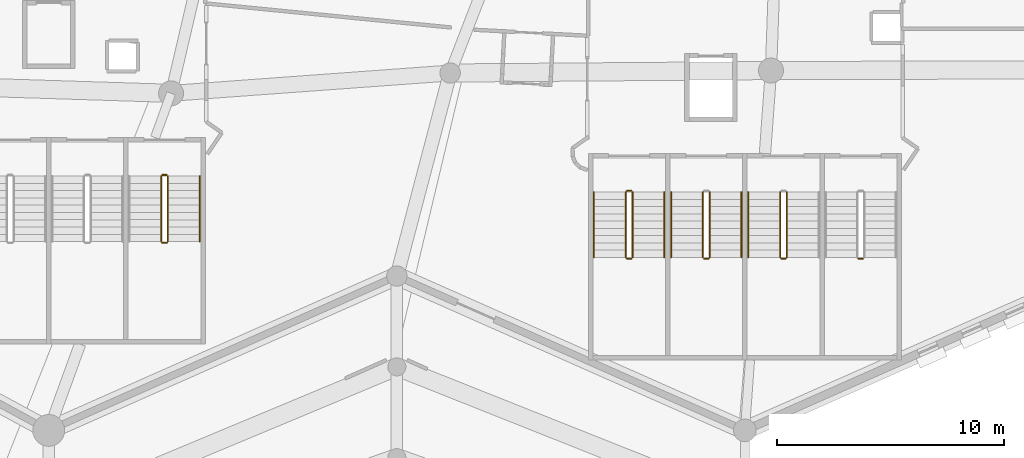
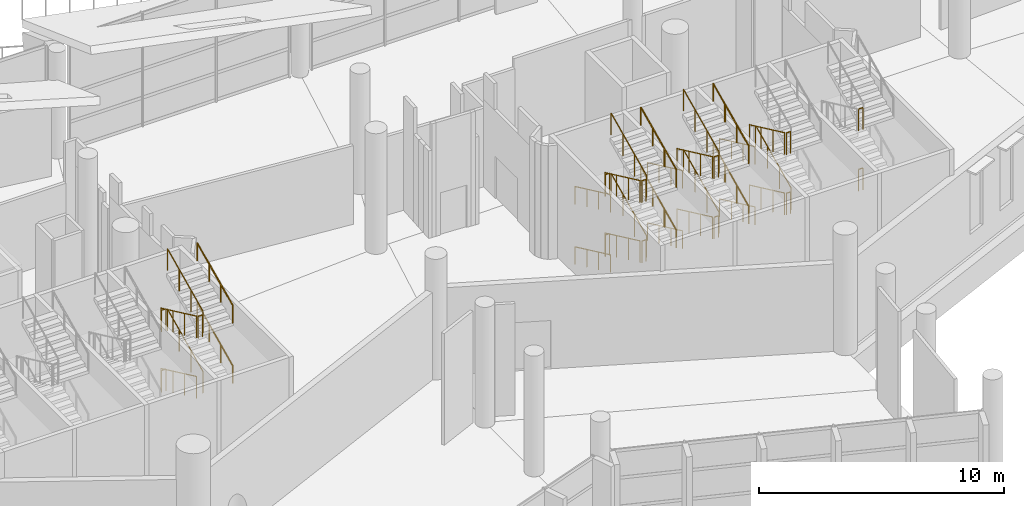
# One storey, part 206 of 249: 40 railings.
"""IFC4 building model written with IfcOpenShell, lengths in metres."""

import ifcopenshell
import ifcopenshell.guid

model = None  # the IFC model being written
_history = None  # IfcOwnerHistory: only IFC2X3 demands one
_inside = {}  # id of a spatial element -> (the spatial element, [elements in it])
_under = {}  # id of a project, library or spatial element -> (it, [spatial elements below it])
_declared = {}  # id of a project -> (the project, [libraries it declares])
_typed = {}  # id of a type object -> (the type object, [elements of that type])
_made_of = {}  # id of a material, layer set ... -> (it, [elements and type objects made of it])


def new_model(schema):
    """Start an empty IFC model of exactly this schema.

    Asked for "IFC4X3", IfcOpenShell would pick the latest addendum, in which some entities
    have other attributes; the version numbers below select the first issue.
    IFC2X3 requires an IfcOwnerHistory on every rooted entity: one is made here for all.
    """
    global model, _history
    if schema == "IFC4X3":
        model = ifcopenshell.file(schema_version=(4, 3, 0, 0))
    else:
        model = ifcopenshell.file(schema=schema)
    _inside.clear()
    _under.clear()
    _declared.clear()
    _typed.clear()
    _made_of.clear()
    _history = None
    if model.schema == "IFC2X3":
        org = make("IfcOrganization", Name="unknown")
        user = make(
            "IfcPersonAndOrganization",
            ThePerson=make("IfcPerson", FamilyName="unknown"),
            TheOrganization=org,
        )
        app = make(
            "IfcApplication",
            ApplicationDeveloper=org,
            Version="unknown",
            ApplicationFullName="unknown",
            ApplicationIdentifier="unknown",
        )
        _history = make(
            "IfcOwnerHistory",
            OwningUser=user,
            OwningApplication=app,
            ChangeAction="ADDED",
            CreationDate=0,
        )
    return model


def make(cls, **values):
    """One entity of the class cls with the attributes given. An attribute that is None is left unset."""
    return model.create_entity(
        cls, **{name: value for name, value in values.items() if value is not None}
    )


def rooted(cls, **values):
    """An entity with a GlobalId (a new one), such as an element, a storey or a relation."""
    return make(cls, GlobalId=ifcopenshell.guid.new(), OwnerHistory=_history, **values)


def si_unit(unit_type, name, prefix=None):
    """IfcSIUnit, for example si_unit("LENGTHUNIT", "METRE", prefix="MILLI")."""
    return make("IfcSIUnit", UnitType=unit_type, Prefix=prefix, Name=name)


def assignment(units):
    """IfcUnitAssignment: the units of a project."""
    return None if units is None else make("IfcUnitAssignment", Units=units)


def point(xyz):
    """IfcCartesianPoint."""
    return None if xyz is None else make("IfcCartesianPoint", Coordinates=xyz)


def direction(xyz):
    """IfcDirection."""
    return None if xyz is None else make("IfcDirection", DirectionRatios=xyz)


def frame(location, z_axis=None, x_axis=None):
    """IfcAxis2Placement3D, a coordinate frame: its origin and axes. An axis left out is left unset."""
    return make(
        "IfcAxis2Placement3D",
        Location=point(location),
        Axis=direction(z_axis),
        RefDirection=direction(x_axis),
    )


def frame_2d(location, x_axis=None):
    """IfcAxis2Placement2D, a coordinate frame in the plane: its origin and x axis."""
    return make(
        "IfcAxis2Placement2D", Location=point(location), RefDirection=direction(x_axis)
    )


def origin():
    """The frame at (0, 0, 0) with its axes left unset."""
    return frame((0.0, 0.0, 0.0))


def origin_2d():
    """The frame at (0, 0) in the plane with its x axis left unset."""
    return frame_2d((0.0, 0.0))


def place(relative_to, where):
    """IfcLocalPlacement: puts the frame where relative to a parent placement (None: the world)."""
    return make(
        "IfcLocalPlacement", PlacementRelTo=relative_to, RelativePlacement=where
    )


def context(
    kind, dimensions, precision=None, world=None, true_north=None, identifier=None
):
    """IfcGeometricRepresentationContext, for example the 3D "Model" context."""
    return make(
        "IfcGeometricRepresentationContext",
        ContextIdentifier=identifier,
        ContextType=kind,
        CoordinateSpaceDimension=dimensions,
        Precision=precision,
        WorldCoordinateSystem=world,
        TrueNorth=true_north,
    )


def subcontext(parent, identifier, kind, view, scale=None):
    """IfcGeometricRepresentationSubContext, for example "Body" below "Model"."""
    return make(
        "IfcGeometricRepresentationSubContext",
        ContextIdentifier=identifier,
        ContextType=kind,
        ParentContext=parent,
        TargetScale=scale,
        TargetView=view,
    )


def project(units=None, contexts=None):
    """IfcProject with its units and contexts."""
    return rooted(
        "IfcProject",
        Name="project",
        RepresentationContexts=contexts,
        UnitsInContext=assignment(units),
    )


def spatial(cls, under=None, at=None, **own):
    """A site, building, storey or space (cls), placed at a placement, below another one or the project."""
    s = rooted(cls, ObjectPlacement=at, **own)
    if under is not None:
        _under.setdefault(under.id(), (under, []))[1].append(s)
    return s


def profile(cls, at=None, kind="AREA", **sizes):
    """A parametric profile (cls). Its sizes go by their IFC names, for example OverallWidth=200.0."""
    return make(cls, ProfileType=kind, Position=at, **sizes)


def circle(**sizes):
    """IfcCircleProfileDef."""
    return profile("IfcCircleProfileDef", **sizes)


def extrude(swept, where, along, depth):
    """IfcExtrudedAreaSolid: the profile swept, set in the frame where, extruded along a direction by depth."""
    return make(
        "IfcExtrudedAreaSolid",
        SweptArea=swept,
        Position=where,
        ExtrudedDirection=direction(along),
        Depth=depth,
    )


def shape(context_of_items, identifier, shape_type, items):
    """IfcShapeRepresentation: the items that make up one representation, for example the "Body"."""
    return make(
        "IfcShapeRepresentation",
        ContextOfItems=context_of_items,
        RepresentationIdentifier=identifier,
        RepresentationType=shape_type,
        Items=items,
    )


def material(Name=None, Category=None):
    """IfcMaterial."""
    return make("IfcMaterial", Name=Name, Category=Category)


def made_of(thing, what):
    """Note that an element or type object is made of a material, layer set ...; save() writes the relation."""
    if what is not None:
        _made_of.setdefault(what.id(), (what, []))[1].append(thing)
    return thing


def type_object(cls, material=None, **own):
    """A type object (cls), such as IfcWallType, which elements share."""
    return made_of(rooted(cls, **own), material)


def element(
    cls,
    number,
    at=None,
    inside=None,
    cuts=None,
    type_object=None,
    material=None,
    context=None,
    identifier="Body",
    shape_type=None,
    held_by="IfcProductDefinitionShape",
    body=None,
    shapes=None,
    **own,
):
    """One element of the class cls, such as IfcWall. Its Tag is "e" and its number.

    at: its placement. inside: the storey or other place that contains it. cuts: it is an
    opening in that element (IfcRelVoidsElement). A single representation is given by context,
    identifier, shape_type and body (its items); several are given by shapes. held_by: the class
    of the entity that holds the representations. save() writes the other relations.
    """
    e = rooted(cls, Tag="e%d" % number, ObjectPlacement=at, **own)
    if body is not None:
        shapes = [shape(context, identifier, shape_type, body)]
    if shapes is not None:
        e.Representation = make(held_by, Representations=shapes)
    if inside is not None:
        _inside.setdefault(inside.id(), (inside, []))[1].append(e)
    if cuts is not None:
        rooted(
            "IfcRelVoidsElement", RelatingBuildingElement=cuts, RelatedOpeningElement=e
        )
    if type_object is not None:
        _typed.setdefault(type_object.id(), (type_object, []))[1].append(e)
    return made_of(e, material)


def aggregate(whole, parts):
    """IfcRelAggregates: a whole, such as a stair, and the parts it consists of."""
    return rooted("IfcRelAggregates", RelatingObject=whole, RelatedObjects=parts)


def save(model, path):
    """Write the relations noted so far, then the file.

    IfcRelAggregates (storeys below a building ...), IfcRelContainedInSpatialStructure (elements
    in a storey), IfcRelDefinesByType, IfcRelAssociatesMaterial and IfcRelDeclares: one each for
    every whole, place, type object, material and project.
    """
    for whole, parts in _under.values():
        aggregate(whole, parts)
    for where, things in _inside.values():
        rooted(
            "IfcRelContainedInSpatialStructure",
            RelatedElements=things,
            RelatingStructure=where,
        )
    for kind, things in _typed.values():
        rooted("IfcRelDefinesByType", RelatedObjects=things, RelatingType=kind)
    for what, things in _made_of.values():
        rooted("IfcRelAssociatesMaterial", RelatedObjects=things, RelatingMaterial=what)
    for by, libraries in _declared.values():
        rooted("IfcRelDeclares", RelatingContext=by, RelatedDefinitions=libraries)
    model.write(path)


model = new_model("IFC4")

# Units and contexts
model_context = context("Model", 3, precision=1e-05, world=origin(), true_north=direction((0.0, 1.0)))
body_context = subcontext(model_context, "Body", "Model", "MODEL_VIEW")
ifc_project = project(units=[si_unit("LENGTHUNIT", "METRE"), si_unit("AREAUNIT", "SQUARE_METRE"), si_unit("VOLUMEUNIT", "CUBIC_METRE"), si_unit("PLANEANGLEUNIT", "RADIAN"), si_unit("MASSUNIT", "GRAM", prefix="KILO")], contexts=[model_context])

# Site, building, storey
site_placement = place(None, origin())
site = spatial("IfcSite", under=ifc_project, at=site_placement, CompositionType="ELEMENT")
building_placement = place(site_placement, origin())
building = spatial("IfcBuilding", under=site, at=building_placement, Name="Meseta Stadium", CompositionType="ELEMENT")
storey_placement = place(building_placement, frame((0.0, 0.0, 12.0)))
storey = spatial("IfcBuildingStorey", under=building, at=storey_placement, Name="L02", CompositionType="ELEMENT", Elevation=12.0)

# Railings
ifc_material_1 = material(Name="Steel S355", Category="steel")
railing_type_1 = type_object("IfcRailingType", Name="Stair guard 1100", PredefinedType="GUARDRAIL", material=ifc_material_1)
railing_1_placement = place(storey_placement, frame((-33.38330078125, -94.199951171875, 0.14990234375)))
element("IfcRailing", 1, at=railing_1_placement, inside=storey, type_object=railing_type_1, Name="ST92 L02 guard 1", PredefinedType="GUARDRAIL", context=body_context, shape_type="SweptSolid", body=[
    extrude(circle(Radius=0.02392578125, at=origin_2d()), frame((0.0, 0.0, 1.076171875), z_axis=(0.0, -0.905454327043, 0.424443708447), x_axis=(1.0, 0.0, 0.0)), (0.0, 0.0, 1.0), 3.180908203125),
    extrude(circle(Radius=0.02099609375, at=origin_2d()), origin(), (0.0, 0.0, 1.0), 1.052001953125),
    extrude(circle(Radius=0.02099609375, at=origin_2d()), frame((0.0, -0.9599609375, 0.449951171875)), (0.0, 0.0, 1.0), 1.052001953125),
    extrude(circle(Radius=0.02099609375, at=origin_2d()), frame((0.0, -1.920166015625, 0.900146484375)), (0.0, 0.0, 1.0), 1.052001953125),
    extrude(circle(Radius=0.02099609375, at=origin_2d()), frame((0.0, -2.880126953125, 1.35009765625)), (0.0, 0.0, 1.0), 1.052001953125),
])
railing_2_placement = place(storey_placement, frame((-33.083251953125, -97.080078125, 1.64990234375)))
element("IfcRailing", 2, at=railing_2_placement, inside=storey, type_object=railing_type_1, Name="ST92 L02 guard 3", PredefinedType="GUARDRAIL", context=body_context, shape_type="SweptSolid", body=[
    extrude(circle(Radius=0.02392578125, at=origin_2d()), frame((0.0, 0.0, 1.076171875), z_axis=(0.0, 0.905454327043, 0.424443708447), x_axis=(-1.0, 0.0, 0.0)), (0.0, 0.0, 1.0), 3.180908203125),
    extrude(circle(Radius=0.02099609375, at=origin_2d()), origin(), (0.0, 0.0, 1.0), 1.052001953125),
    extrude(circle(Radius=0.02099609375, at=origin_2d()), frame((0.0, 0.9599609375, 0.449951171875)), (0.0, 0.0, 1.0), 1.052001953125),
    extrude(circle(Radius=0.02099609375, at=origin_2d()), frame((0.0, 1.920166015625, 0.900146484375)), (0.0, 0.0, 1.0), 1.052001953125),
    extrude(circle(Radius=0.02099609375, at=origin_2d()), frame((0.0, 2.880126953125, 1.35009765625)), (0.0, 0.0, 1.0), 1.052001953125),
])
railing_3_placement = place(storey_placement, frame((-33.333251953125, -94.14990234375, 3.0)))
element("IfcRailing", 3, at=railing_3_placement, inside=storey, type_object=railing_type_1, Name="ST92 L02 guard 4", PredefinedType="GUARDRAIL", context=body_context, shape_type="SweptSolid", body=[
    extrude(circle(Radius=0.02392578125, at=origin_2d()), frame((0.0, 0.0, 1.076171875), z_axis=(1.0, 0.0, 0.0), x_axis=(0.0, 1.0, 0.0)), (0.0, 0.0, 1.0), 0.199951171875),
    extrude(circle(Radius=0.02099609375, at=origin_2d()), origin(), (0.0, 0.0, 1.0), 1.052001953125),
    extrude(circle(Radius=0.02099609375, at=origin_2d()), frame((0.199951171875, 0.0, 0.0)), (0.0, 0.0, 1.0), 1.052001953125),
])
railing_4_placement = place(storey_placement, frame((-33.38330078125, -94.199951171875, 3.14990234375)))
element("IfcRailing", 4, at=railing_4_placement, inside=storey, type_object=railing_type_1, Name="ST92 L02 guard 5", PredefinedType="GUARDRAIL", context=body_context, shape_type="SweptSolid", body=[
    extrude(circle(Radius=0.02392578125, at=origin_2d()), frame((0.0, 0.0, 1.076171875), z_axis=(0.0, -0.905454327043, 0.424443708447), x_axis=(1.0, 0.0, 0.0)), (0.0, 0.0, 1.0), 3.180908203125),
    extrude(circle(Radius=0.02099609375, at=origin_2d()), origin(), (0.0, 0.0, 1.0), 1.052001953125),
    extrude(circle(Radius=0.02099609375, at=origin_2d()), frame((0.0, -0.9599609375, 0.449951171875)), (0.0, 0.0, 1.0), 1.052001953125),
    extrude(circle(Radius=0.02099609375, at=origin_2d()), frame((0.0, -1.920166015625, 0.900146484375)), (0.0, 0.0, 1.0), 1.052001953125),
    extrude(circle(Radius=0.02099609375, at=origin_2d()), frame((0.0, -2.880126953125, 1.35009765625)), (0.0, 0.0, 1.0), 1.052001953125),
])
railing_5_placement = place(storey_placement, frame((-33.333251953125, -97.1298828125, 4.5)))
element("IfcRailing", 5, at=railing_5_placement, inside=storey, type_object=railing_type_1, Name="ST92 L02 guard 6", PredefinedType="GUARDRAIL", context=body_context, shape_type="SweptSolid", body=[
    extrude(circle(Radius=0.02392578125, at=origin_2d()), frame((0.0, 0.0, 1.076171875), z_axis=(1.0, 0.0, 0.0), x_axis=(0.0, 1.0, 0.0)), (0.0, 0.0, 1.0), 0.199951171875),
    extrude(circle(Radius=0.02099609375, at=origin_2d()), origin(), (0.0, 0.0, 1.0), 1.052001953125),
    extrude(circle(Radius=0.02099609375, at=origin_2d()), frame((0.199951171875, 0.0, 0.0)), (0.0, 0.0, 1.0), 1.052001953125),
])
railing_6_placement = place(storey_placement, frame((-33.083251953125, -97.080078125, 4.64990234375)))
element("IfcRailing", 6, at=railing_6_placement, inside=storey, type_object=railing_type_1, Name="ST92 L02 guard 7", PredefinedType="GUARDRAIL", context=body_context, shape_type="SweptSolid", body=[
    extrude(circle(Radius=0.02392578125, at=origin_2d()), frame((0.0, 0.0, 1.076171875), z_axis=(0.0, 0.905454327043, 0.424443708447), x_axis=(-1.0, 0.0, 0.0)), (0.0, 0.0, 1.0), 3.180908203125),
    extrude(circle(Radius=0.02099609375, at=origin_2d()), origin(), (0.0, 0.0, 1.0), 1.052001953125),
    extrude(circle(Radius=0.02099609375, at=origin_2d()), frame((0.0, 0.9599609375, 0.449951171875)), (0.0, 0.0, 1.0), 1.052001953125),
    extrude(circle(Radius=0.02099609375, at=origin_2d()), frame((0.0, 1.920166015625, 0.900146484375)), (0.0, 0.0, 1.0), 1.052001953125),
    extrude(circle(Radius=0.02099609375, at=origin_2d()), frame((0.0, 2.880126953125, 1.35009765625)), (0.0, 0.0, 1.0), 1.052001953125),
])
railing_7_placement = place(storey_placement, frame((-33.333251953125, -94.14990234375, 0.0)))
element("IfcRailing", 7, at=railing_7_placement, inside=storey, type_object=railing_type_1, Name="ST92 L02 guard 8", PredefinedType="GUARDRAIL", context=body_context, shape_type="SweptSolid", body=[
    extrude(circle(Radius=0.02392578125, at=origin_2d()), frame((0.0, 0.0, 1.076171875), z_axis=(1.0, 0.0, 0.0), x_axis=(0.0, 1.0, 0.0)), (0.0, 0.0, 1.0), 0.199951171875),
    extrude(circle(Radius=0.02099609375, at=origin_2d()), origin(), (0.0, 0.0, 1.0), 1.052001953125),
    extrude(circle(Radius=0.02099609375, at=origin_2d()), frame((0.199951171875, 0.0, 0.0)), (0.0, 0.0, 1.0), 1.052001953125),
])
railing_8_placement = place(storey_placement, frame((-12.916748046875, -94.89990234375, 0.14990234375)))
element("IfcRailing", 8, at=railing_8_placement, inside=storey, type_object=railing_type_1, Name="ST93 L02 guard 1", PredefinedType="GUARDRAIL", context=body_context, shape_type="SweptSolid", body=[
    extrude(circle(Radius=0.02392578125, at=origin_2d()), frame((0.0, 0.0, 1.076171875), z_axis=(0.0, -0.905454327043, 0.424443708447), x_axis=(1.0, 0.0, 0.0)), (0.0, 0.0, 1.0), 3.180908203125),
    extrude(circle(Radius=0.02099609375, at=origin_2d()), origin(), (0.0, 0.0, 1.0), 1.052001953125),
    extrude(circle(Radius=0.02099609375, at=origin_2d()), frame((0.0, -0.9599609375, 0.449951171875)), (0.0, 0.0, 1.0), 1.052001953125),
    extrude(circle(Radius=0.02099609375, at=origin_2d()), frame((0.0, -1.920166015625, 0.900146484375)), (0.0, 0.0, 1.0), 1.052001953125),
    extrude(circle(Radius=0.02099609375, at=origin_2d()), frame((0.0, -2.880126953125, 1.35009765625)), (0.0, 0.0, 1.0), 1.052001953125),
])
railing_9_placement = place(storey_placement, frame((-12.86669921875, -97.830078125, 1.5)))
element("IfcRailing", 9, at=railing_9_placement, inside=storey, type_object=railing_type_1, Name="ST93 L02 guard 2", PredefinedType="GUARDRAIL", context=body_context, shape_type="SweptSolid", body=[
    extrude(circle(Radius=0.02392578125, at=origin_2d()), frame((0.0, 0.0, 1.076171875), z_axis=(1.0, 0.0, 0.0), x_axis=(0.0, 1.0, 0.0)), (0.0, 0.0, 1.0), 0.199951171875),
    extrude(circle(Radius=0.02099609375, at=origin_2d()), origin(), (0.0, 0.0, 1.0), 1.052001953125),
    extrude(circle(Radius=0.02099609375, at=origin_2d()), frame((0.199951171875, 0.0, 0.0)), (0.0, 0.0, 1.0), 1.052001953125),
])
railing_10_placement = place(storey_placement, frame((-12.61669921875, -97.780029296875, 1.64990234375)))
element("IfcRailing", 10, at=railing_10_placement, inside=storey, type_object=railing_type_1, Name="ST93 L02 guard 3", PredefinedType="GUARDRAIL", context=body_context, shape_type="SweptSolid", body=[
    extrude(circle(Radius=0.02392578125, at=origin_2d()), frame((0.0, 0.0, 1.076171875), z_axis=(0.0, 0.905454327043, 0.424443708447), x_axis=(-1.0, 0.0, 0.0)), (0.0, 0.0, 1.0), 3.180908203125),
    extrude(circle(Radius=0.02099609375, at=origin_2d()), origin(), (0.0, 0.0, 1.0), 1.052001953125),
    extrude(circle(Radius=0.02099609375, at=origin_2d()), frame((0.0, 0.9599609375, 0.449951171875)), (0.0, 0.0, 1.0), 1.052001953125),
    extrude(circle(Radius=0.02099609375, at=origin_2d()), frame((0.0, 1.920166015625, 0.900146484375)), (0.0, 0.0, 1.0), 1.052001953125),
    extrude(circle(Radius=0.02099609375, at=origin_2d()), frame((0.0, 2.880126953125, 1.35009765625)), (0.0, 0.0, 1.0), 1.052001953125),
])
railing_11_placement = place(storey_placement, frame((-12.86669921875, -94.85009765625, 3.0)))
element("IfcRailing", 11, at=railing_11_placement, inside=storey, type_object=railing_type_1, Name="ST93 L02 guard 4", PredefinedType="GUARDRAIL", context=body_context, shape_type="SweptSolid", body=[
    extrude(circle(Radius=0.02392578125, at=origin_2d()), frame((0.0, 0.0, 1.076171875), z_axis=(1.0, 0.0, 0.0), x_axis=(0.0, 1.0, 0.0)), (0.0, 0.0, 1.0), 0.199951171875),
    extrude(circle(Radius=0.02099609375, at=origin_2d()), origin(), (0.0, 0.0, 1.0), 1.052001953125),
    extrude(circle(Radius=0.02099609375, at=origin_2d()), frame((0.199951171875, 0.0, 0.0)), (0.0, 0.0, 1.0), 1.052001953125),
])
railing_12_placement = place(storey_placement, frame((-12.916748046875, -94.89990234375, 3.14990234375)))
element("IfcRailing", 12, at=railing_12_placement, inside=storey, type_object=railing_type_1, Name="ST93 L02 guard 5", PredefinedType="GUARDRAIL", context=body_context, shape_type="SweptSolid", body=[
    extrude(circle(Radius=0.02392578125, at=origin_2d()), frame((0.0, 0.0, 1.076171875), z_axis=(0.0, -0.905454327043, 0.424443708447), x_axis=(1.0, 0.0, 0.0)), (0.0, 0.0, 1.0), 3.180908203125),
    extrude(circle(Radius=0.02099609375, at=origin_2d()), origin(), (0.0, 0.0, 1.0), 1.052001953125),
    extrude(circle(Radius=0.02099609375, at=origin_2d()), frame((0.0, -0.9599609375, 0.449951171875)), (0.0, 0.0, 1.0), 1.052001953125),
    extrude(circle(Radius=0.02099609375, at=origin_2d()), frame((0.0, -1.920166015625, 0.900146484375)), (0.0, 0.0, 1.0), 1.052001953125),
    extrude(circle(Radius=0.02099609375, at=origin_2d()), frame((0.0, -2.880126953125, 1.35009765625)), (0.0, 0.0, 1.0), 1.052001953125),
])
railing_13_placement = place(storey_placement, frame((-12.86669921875, -97.830078125, 4.5)))
element("IfcRailing", 13, at=railing_13_placement, inside=storey, type_object=railing_type_1, Name="ST93 L02 guard 6", PredefinedType="GUARDRAIL", context=body_context, shape_type="SweptSolid", body=[
    extrude(circle(Radius=0.02392578125, at=origin_2d()), frame((0.0, 0.0, 1.076171875), z_axis=(1.0, 0.0, 0.0), x_axis=(0.0, 1.0, 0.0)), (0.0, 0.0, 1.0), 0.199951171875),
    extrude(circle(Radius=0.02099609375, at=origin_2d()), origin(), (0.0, 0.0, 1.0), 1.052001953125),
    extrude(circle(Radius=0.02099609375, at=origin_2d()), frame((0.199951171875, 0.0, 0.0)), (0.0, 0.0, 1.0), 1.052001953125),
])
railing_14_placement = place(storey_placement, frame((-12.61669921875, -97.780029296875, 4.64990234375)))
element("IfcRailing", 14, at=railing_14_placement, inside=storey, type_object=railing_type_1, Name="ST93 L02 guard 7", PredefinedType="GUARDRAIL", context=body_context, shape_type="SweptSolid", body=[
    extrude(circle(Radius=0.02392578125, at=origin_2d()), frame((0.0, 0.0, 1.076171875), z_axis=(0.0, 0.905454327043, 0.424443708447), x_axis=(-1.0, 0.0, 0.0)), (0.0, 0.0, 1.0), 3.180908203125),
    extrude(circle(Radius=0.02099609375, at=origin_2d()), origin(), (0.0, 0.0, 1.0), 1.052001953125),
    extrude(circle(Radius=0.02099609375, at=origin_2d()), frame((0.0, 0.9599609375, 0.449951171875)), (0.0, 0.0, 1.0), 1.052001953125),
    extrude(circle(Radius=0.02099609375, at=origin_2d()), frame((0.0, 1.920166015625, 0.900146484375)), (0.0, 0.0, 1.0), 1.052001953125),
    extrude(circle(Radius=0.02099609375, at=origin_2d()), frame((0.0, 2.880126953125, 1.35009765625)), (0.0, 0.0, 1.0), 1.052001953125),
])
railing_15_placement = place(storey_placement, frame((-12.86669921875, -94.85009765625, 0.0)))
element("IfcRailing", 15, at=railing_15_placement, inside=storey, type_object=railing_type_1, Name="ST93 L02 guard 8", PredefinedType="GUARDRAIL", context=body_context, shape_type="SweptSolid", body=[
    extrude(circle(Radius=0.02392578125, at=origin_2d()), frame((0.0, 0.0, 1.076171875), z_axis=(1.0, 0.0, 0.0), x_axis=(0.0, 1.0, 0.0)), (0.0, 0.0, 1.0), 0.199951171875),
    extrude(circle(Radius=0.02099609375, at=origin_2d()), origin(), (0.0, 0.0, 1.0), 1.052001953125),
    extrude(circle(Radius=0.02099609375, at=origin_2d()), frame((0.199951171875, 0.0, 0.0)), (0.0, 0.0, 1.0), 1.052001953125),
])
railing_16_placement = place(storey_placement, frame((-9.5166015625, -94.89990234375, 0.14990234375)))
element("IfcRailing", 16, at=railing_16_placement, inside=storey, type_object=railing_type_1, Name="ST94 L02 guard 1", PredefinedType="GUARDRAIL", context=body_context, shape_type="SweptSolid", body=[
    extrude(circle(Radius=0.02392578125, at=origin_2d()), frame((0.0, 0.0, 1.076171875), z_axis=(0.0, -0.905454327043, 0.424443708447), x_axis=(1.0, 0.0, 0.0)), (0.0, 0.0, 1.0), 3.180908203125),
    extrude(circle(Radius=0.02099609375, at=origin_2d()), origin(), (0.0, 0.0, 1.0), 1.052001953125),
    extrude(circle(Radius=0.02099609375, at=origin_2d()), frame((0.0, -0.9599609375, 0.449951171875)), (0.0, 0.0, 1.0), 1.052001953125),
    extrude(circle(Radius=0.02099609375, at=origin_2d()), frame((0.0, -1.920166015625, 0.900146484375)), (0.0, 0.0, 1.0), 1.052001953125),
    extrude(circle(Radius=0.02099609375, at=origin_2d()), frame((0.0, -2.880126953125, 1.35009765625)), (0.0, 0.0, 1.0), 1.052001953125),
])
railing_17_placement = place(storey_placement, frame((-9.466552734375, -97.830078125, 1.5)))
element("IfcRailing", 17, at=railing_17_placement, inside=storey, type_object=railing_type_1, Name="ST94 L02 guard 2", PredefinedType="GUARDRAIL", context=body_context, shape_type="SweptSolid", body=[
    extrude(circle(Radius=0.02392578125, at=origin_2d()), frame((0.0, 0.0, 1.076171875), z_axis=(1.0, 0.0, 0.0), x_axis=(0.0, 1.0, 0.0)), (0.0, 0.0, 1.0), 0.199951171875),
    extrude(circle(Radius=0.02099609375, at=origin_2d()), origin(), (0.0, 0.0, 1.0), 1.052001953125),
    extrude(circle(Radius=0.02099609375, at=origin_2d()), frame((0.199951171875, 0.0, 0.0)), (0.0, 0.0, 1.0), 1.052001953125),
])
railing_18_placement = place(storey_placement, frame((-9.216552734375, -97.780029296875, 1.64990234375)))
element("IfcRailing", 18, at=railing_18_placement, inside=storey, type_object=railing_type_1, Name="ST94 L02 guard 3", PredefinedType="GUARDRAIL", context=body_context, shape_type="SweptSolid", body=[
    extrude(circle(Radius=0.02392578125, at=origin_2d()), frame((0.0, 0.0, 1.076171875), z_axis=(0.0, 0.905454327043, 0.424443708447), x_axis=(-1.0, 0.0, 0.0)), (0.0, 0.0, 1.0), 3.180908203125),
    extrude(circle(Radius=0.02099609375, at=origin_2d()), origin(), (0.0, 0.0, 1.0), 1.052001953125),
    extrude(circle(Radius=0.02099609375, at=origin_2d()), frame((0.0, 0.9599609375, 0.449951171875)), (0.0, 0.0, 1.0), 1.052001953125),
    extrude(circle(Radius=0.02099609375, at=origin_2d()), frame((0.0, 1.920166015625, 0.900146484375)), (0.0, 0.0, 1.0), 1.052001953125),
    extrude(circle(Radius=0.02099609375, at=origin_2d()), frame((0.0, 2.880126953125, 1.35009765625)), (0.0, 0.0, 1.0), 1.052001953125),
])
railing_19_placement = place(storey_placement, frame((-9.5166015625, -94.89990234375, 3.14990234375)))
element("IfcRailing", 19, at=railing_19_placement, inside=storey, type_object=railing_type_1, Name="ST94 L02 guard 5", PredefinedType="GUARDRAIL", context=body_context, shape_type="SweptSolid", body=[
    extrude(circle(Radius=0.02392578125, at=origin_2d()), frame((0.0, 0.0, 1.076171875), z_axis=(0.0, -0.905454327043, 0.424443708447), x_axis=(1.0, 0.0, 0.0)), (0.0, 0.0, 1.0), 3.180908203125),
    extrude(circle(Radius=0.02099609375, at=origin_2d()), origin(), (0.0, 0.0, 1.0), 1.052001953125),
    extrude(circle(Radius=0.02099609375, at=origin_2d()), frame((0.0, -0.9599609375, 0.449951171875)), (0.0, 0.0, 1.0), 1.052001953125),
    extrude(circle(Radius=0.02099609375, at=origin_2d()), frame((0.0, -1.920166015625, 0.900146484375)), (0.0, 0.0, 1.0), 1.052001953125),
    extrude(circle(Radius=0.02099609375, at=origin_2d()), frame((0.0, -2.880126953125, 1.35009765625)), (0.0, 0.0, 1.0), 1.052001953125),
])
railing_20_placement = place(storey_placement, frame((-9.466552734375, -97.830078125, 4.5)))
element("IfcRailing", 20, at=railing_20_placement, inside=storey, type_object=railing_type_1, Name="ST94 L02 guard 6", PredefinedType="GUARDRAIL", context=body_context, shape_type="SweptSolid", body=[
    extrude(circle(Radius=0.02392578125, at=origin_2d()), frame((0.0, 0.0, 1.076171875), z_axis=(1.0, 0.0, 0.0), x_axis=(0.0, 1.0, 0.0)), (0.0, 0.0, 1.0), 0.199951171875),
    extrude(circle(Radius=0.02099609375, at=origin_2d()), origin(), (0.0, 0.0, 1.0), 1.052001953125),
    extrude(circle(Radius=0.02099609375, at=origin_2d()), frame((0.199951171875, 0.0, 0.0)), (0.0, 0.0, 1.0), 1.052001953125),
])
railing_21_placement = place(storey_placement, frame((-9.216552734375, -97.780029296875, 4.64990234375)))
element("IfcRailing", 21, at=railing_21_placement, inside=storey, type_object=railing_type_1, Name="ST94 L02 guard 7", PredefinedType="GUARDRAIL", context=body_context, shape_type="SweptSolid", body=[
    extrude(circle(Radius=0.02392578125, at=origin_2d()), frame((0.0, 0.0, 1.076171875), z_axis=(0.0, 0.905454327043, 0.424443708447), x_axis=(-1.0, 0.0, 0.0)), (0.0, 0.0, 1.0), 3.180908203125),
    extrude(circle(Radius=0.02099609375, at=origin_2d()), origin(), (0.0, 0.0, 1.0), 1.052001953125),
    extrude(circle(Radius=0.02099609375, at=origin_2d()), frame((0.0, 0.9599609375, 0.449951171875)), (0.0, 0.0, 1.0), 1.052001953125),
    extrude(circle(Radius=0.02099609375, at=origin_2d()), frame((0.0, 1.920166015625, 0.900146484375)), (0.0, 0.0, 1.0), 1.052001953125),
    extrude(circle(Radius=0.02099609375, at=origin_2d()), frame((0.0, 2.880126953125, 1.35009765625)), (0.0, 0.0, 1.0), 1.052001953125),
])
railing_22_placement = place(storey_placement, frame((-6.11669921875, -94.89990234375, 0.14990234375)))
element("IfcRailing", 22, at=railing_22_placement, inside=storey, type_object=railing_type_1, Name="ST95 L02 guard 1", PredefinedType="GUARDRAIL", context=body_context, shape_type="SweptSolid", body=[
    extrude(circle(Radius=0.02392578125, at=origin_2d()), frame((0.0, 0.0, 1.076171875), z_axis=(0.0, -0.905454327043, 0.424443708447), x_axis=(1.0, 0.0, 0.0)), (0.0, 0.0, 1.0), 3.180908203125),
    extrude(circle(Radius=0.02099609375, at=origin_2d()), origin(), (0.0, 0.0, 1.0), 1.052001953125),
    extrude(circle(Radius=0.02099609375, at=origin_2d()), frame((0.0, -0.9599609375, 0.449951171875)), (0.0, 0.0, 1.0), 1.052001953125),
    extrude(circle(Radius=0.02099609375, at=origin_2d()), frame((0.0, -1.920166015625, 0.900146484375)), (0.0, 0.0, 1.0), 1.052001953125),
    extrude(circle(Radius=0.02099609375, at=origin_2d()), frame((0.0, -2.880126953125, 1.35009765625)), (0.0, 0.0, 1.0), 1.052001953125),
])
railing_23_placement = place(storey_placement, frame((-6.066650390625, -97.830078125, 1.5)))
element("IfcRailing", 23, at=railing_23_placement, inside=storey, type_object=railing_type_1, Name="ST95 L02 guard 2", PredefinedType="GUARDRAIL", context=body_context, shape_type="SweptSolid", body=[
    extrude(circle(Radius=0.02392578125, at=origin_2d()), frame((0.0, 0.0, 1.076171875), z_axis=(1.0, 0.0, 0.0), x_axis=(0.0, 1.0, 0.0)), (0.0, 0.0, 1.0), 0.199951171875),
    extrude(circle(Radius=0.02099609375, at=origin_2d()), origin(), (0.0, 0.0, 1.0), 1.052001953125),
    extrude(circle(Radius=0.02099609375, at=origin_2d()), frame((0.199951171875, 0.0, 0.0)), (0.0, 0.0, 1.0), 1.052001953125),
])
railing_24_placement = place(storey_placement, frame((-5.816650390625, -97.780029296875, 1.64990234375)))
element("IfcRailing", 24, at=railing_24_placement, inside=storey, type_object=railing_type_1, Name="ST95 L02 guard 3", PredefinedType="GUARDRAIL", context=body_context, shape_type="SweptSolid", body=[
    extrude(circle(Radius=0.02392578125, at=origin_2d()), frame((0.0, 0.0, 1.076171875), z_axis=(0.0, 0.905454327043, 0.424443708447), x_axis=(-1.0, 0.0, 0.0)), (0.0, 0.0, 1.0), 3.180908203125),
    extrude(circle(Radius=0.02099609375, at=origin_2d()), origin(), (0.0, 0.0, 1.0), 1.052001953125),
    extrude(circle(Radius=0.02099609375, at=origin_2d()), frame((0.0, 0.9599609375, 0.449951171875)), (0.0, 0.0, 1.0), 1.052001953125),
    extrude(circle(Radius=0.02099609375, at=origin_2d()), frame((0.0, 1.920166015625, 0.900146484375)), (0.0, 0.0, 1.0), 1.052001953125),
    extrude(circle(Radius=0.02099609375, at=origin_2d()), frame((0.0, 2.880126953125, 1.35009765625)), (0.0, 0.0, 1.0), 1.052001953125),
])
railing_25_placement = place(storey_placement, frame((-6.11669921875, -94.89990234375, 3.14990234375)))
element("IfcRailing", 25, at=railing_25_placement, inside=storey, type_object=railing_type_1, Name="ST95 L02 guard 5", PredefinedType="GUARDRAIL", context=body_context, shape_type="SweptSolid", body=[
    extrude(circle(Radius=0.02392578125, at=origin_2d()), frame((0.0, 0.0, 1.076171875), z_axis=(0.0, -0.905454327043, 0.424443708447), x_axis=(1.0, 0.0, 0.0)), (0.0, 0.0, 1.0), 3.180908203125),
    extrude(circle(Radius=0.02099609375, at=origin_2d()), origin(), (0.0, 0.0, 1.0), 1.052001953125),
    extrude(circle(Radius=0.02099609375, at=origin_2d()), frame((0.0, -0.9599609375, 0.449951171875)), (0.0, 0.0, 1.0), 1.052001953125),
    extrude(circle(Radius=0.02099609375, at=origin_2d()), frame((0.0, -1.920166015625, 0.900146484375)), (0.0, 0.0, 1.0), 1.052001953125),
    extrude(circle(Radius=0.02099609375, at=origin_2d()), frame((0.0, -2.880126953125, 1.35009765625)), (0.0, 0.0, 1.0), 1.052001953125),
])
railing_26_placement = place(storey_placement, frame((-6.066650390625, -97.830078125, 4.5)))
element("IfcRailing", 26, at=railing_26_placement, inside=storey, type_object=railing_type_1, Name="ST95 L02 guard 6", PredefinedType="GUARDRAIL", context=body_context, shape_type="SweptSolid", body=[
    extrude(circle(Radius=0.02392578125, at=origin_2d()), frame((0.0, 0.0, 1.076171875), z_axis=(1.0, 0.0, 0.0), x_axis=(0.0, 1.0, 0.0)), (0.0, 0.0, 1.0), 0.199951171875),
    extrude(circle(Radius=0.02099609375, at=origin_2d()), origin(), (0.0, 0.0, 1.0), 1.052001953125),
    extrude(circle(Radius=0.02099609375, at=origin_2d()), frame((0.199951171875, 0.0, 0.0)), (0.0, 0.0, 1.0), 1.052001953125),
])
for number, where, name in (
    (27, (-2.666748046875, -97.830078125, 1.5), "ST96 L02 guard 2"),
    (28, (-2.666748046875, -97.830078125, 4.5), "ST96 L02 guard 6"),
):
    element("IfcRailing", number, at=place(storey_placement, frame(where)), inside=storey, type_object=railing_type_1, Name=name, PredefinedType="GUARDRAIL", context=body_context, shape_type="SweptSolid", body=[
        extrude(circle(Radius=0.02392578125, at=origin_2d()), frame((0.0, 0.0, 1.076171875), z_axis=(1.0, 0.0, 0.0), x_axis=(0.0, 1.0, 0.0)), (0.0, 0.0, 1.0), 0.2001953125),
        extrude(circle(Radius=0.02099609375, at=origin_2d()), origin(), (0.0, 0.0, 1.0), 1.052001953125),
        extrude(circle(Radius=0.02099609375, at=origin_2d()), frame((0.2001953125, 0.0, 0.0)), (0.0, 0.0, 1.0), 1.052001953125),
    ])
ifc_material_2 = material(Name="Steel S355", Category="steel")
railing_type_2 = type_object("IfcRailingType", Name="Stair handrail 900", PredefinedType="HANDRAIL", material=ifc_material_2)
for number, where, name in (
    (29, (-31.683349609375, -97.080078125, 1.64990234375), "ST92 L02 handrail 2"),
    (30, (-31.683349609375, -97.080078125, 4.64990234375), "ST92 L02 handrail 4"),
):
    element("IfcRailing", number, at=place(storey_placement, frame(where)), inside=storey, type_object=railing_type_2, Name=name, PredefinedType="HANDRAIL", context=body_context, shape_type="SweptSolid", body=[
        extrude(circle(Radius=0.02392578125, at=origin_2d()), frame((0.0, 0.0, 0.8759765625), z_axis=(0.0, 0.905454327043, 0.424443708447), x_axis=(-1.0, 0.0, 0.0)), (0.0, 0.0, 1.0), 3.180908203125),
        extrude(circle(Radius=0.02099609375, at=origin_2d()), origin(), (0.0, 0.0, 1.0), 0.851806640625),
        extrude(circle(Radius=0.02099609375, at=origin_2d()), frame((0.0, 0.9599609375, 0.449951171875)), (0.0, 0.0, 1.0), 0.851806640625),
        extrude(circle(Radius=0.02099609375, at=origin_2d()), frame((0.0, 1.920166015625, 0.900146484375)), (0.0, 0.0, 1.0), 0.851806640625),
        extrude(circle(Radius=0.02099609375, at=origin_2d()), frame((0.0, 2.880126953125, 1.35009765625)), (0.0, 0.0, 1.0), 0.851806640625),
    ])
railing_27_placement = place(storey_placement, frame((-14.316650390625, -94.89990234375, 0.14990234375)))
element("IfcRailing", 31, at=railing_27_placement, inside=storey, type_object=railing_type_2, Name="ST93 L02 handrail 1", PredefinedType="HANDRAIL", context=body_context, shape_type="SweptSolid", body=[
    extrude(circle(Radius=0.02392578125, at=origin_2d()), frame((0.0, 0.0, 0.8759765625), z_axis=(0.0, -0.905454327043, 0.424443708447), x_axis=(1.0, 0.0, 0.0)), (0.0, 0.0, 1.0), 3.180908203125),
    extrude(circle(Radius=0.02099609375, at=origin_2d()), origin(), (0.0, 0.0, 1.0), 0.851806640625),
    extrude(circle(Radius=0.02099609375, at=origin_2d()), frame((0.0, -0.9599609375, 0.449951171875)), (0.0, 0.0, 1.0), 0.851806640625),
    extrude(circle(Radius=0.02099609375, at=origin_2d()), frame((0.0, -1.920166015625, 0.900146484375)), (0.0, 0.0, 1.0), 0.851806640625),
    extrude(circle(Radius=0.02099609375, at=origin_2d()), frame((0.0, -2.880126953125, 1.35009765625)), (0.0, 0.0, 1.0), 0.851806640625),
])
railing_28_placement = place(storey_placement, frame((-11.216552734375, -97.780029296875, 1.64990234375)))
element("IfcRailing", 32, at=railing_28_placement, inside=storey, type_object=railing_type_2, Name="ST93 L02 handrail 2", PredefinedType="HANDRAIL", context=body_context, shape_type="SweptSolid", body=[
    extrude(circle(Radius=0.02392578125, at=origin_2d()), frame((0.0, 0.0, 0.8759765625), z_axis=(0.0, 0.905454327043, 0.424443708447), x_axis=(-1.0, 0.0, 0.0)), (0.0, 0.0, 1.0), 3.180908203125),
    extrude(circle(Radius=0.02099609375, at=origin_2d()), origin(), (0.0, 0.0, 1.0), 0.851806640625),
    extrude(circle(Radius=0.02099609375, at=origin_2d()), frame((0.0, 0.9599609375, 0.449951171875)), (0.0, 0.0, 1.0), 0.851806640625),
    extrude(circle(Radius=0.02099609375, at=origin_2d()), frame((0.0, 1.920166015625, 0.900146484375)), (0.0, 0.0, 1.0), 0.851806640625),
    extrude(circle(Radius=0.02099609375, at=origin_2d()), frame((0.0, 2.880126953125, 1.35009765625)), (0.0, 0.0, 1.0), 0.851806640625),
])
railing_29_placement = place(storey_placement, frame((-14.316650390625, -94.89990234375, 3.14990234375)))
element("IfcRailing", 33, at=railing_29_placement, inside=storey, type_object=railing_type_2, Name="ST93 L02 handrail 3", PredefinedType="HANDRAIL", context=body_context, shape_type="SweptSolid", body=[
    extrude(circle(Radius=0.02392578125, at=origin_2d()), frame((0.0, 0.0, 0.8759765625), z_axis=(0.0, -0.905454327043, 0.424443708447), x_axis=(1.0, 0.0, 0.0)), (0.0, 0.0, 1.0), 3.180908203125),
    extrude(circle(Radius=0.02099609375, at=origin_2d()), origin(), (0.0, 0.0, 1.0), 0.851806640625),
    extrude(circle(Radius=0.02099609375, at=origin_2d()), frame((0.0, -0.9599609375, 0.449951171875)), (0.0, 0.0, 1.0), 0.851806640625),
    extrude(circle(Radius=0.02099609375, at=origin_2d()), frame((0.0, -1.920166015625, 0.900146484375)), (0.0, 0.0, 1.0), 0.851806640625),
    extrude(circle(Radius=0.02099609375, at=origin_2d()), frame((0.0, -2.880126953125, 1.35009765625)), (0.0, 0.0, 1.0), 0.851806640625),
])
railing_30_placement = place(storey_placement, frame((-11.216552734375, -97.780029296875, 4.64990234375)))
element("IfcRailing", 34, at=railing_30_placement, inside=storey, type_object=railing_type_2, Name="ST93 L02 handrail 4", PredefinedType="HANDRAIL", context=body_context, shape_type="SweptSolid", body=[
    extrude(circle(Radius=0.02392578125, at=origin_2d()), frame((0.0, 0.0, 0.8759765625), z_axis=(0.0, 0.905454327043, 0.424443708447), x_axis=(-1.0, 0.0, 0.0)), (0.0, 0.0, 1.0), 3.180908203125),
    extrude(circle(Radius=0.02099609375, at=origin_2d()), origin(), (0.0, 0.0, 1.0), 0.851806640625),
    extrude(circle(Radius=0.02099609375, at=origin_2d()), frame((0.0, 0.9599609375, 0.449951171875)), (0.0, 0.0, 1.0), 0.851806640625),
    extrude(circle(Radius=0.02099609375, at=origin_2d()), frame((0.0, 1.920166015625, 0.900146484375)), (0.0, 0.0, 1.0), 0.851806640625),
    extrude(circle(Radius=0.02099609375, at=origin_2d()), frame((0.0, 2.880126953125, 1.35009765625)), (0.0, 0.0, 1.0), 0.851806640625),
])
railing_31_placement = place(storey_placement, frame((-10.916748046875, -94.89990234375, 0.14990234375)))
element("IfcRailing", 35, at=railing_31_placement, inside=storey, type_object=railing_type_2, Name="ST94 L02 handrail 1", PredefinedType="HANDRAIL", context=body_context, shape_type="SweptSolid", body=[
    extrude(circle(Radius=0.02392578125, at=origin_2d()), frame((0.0, 0.0, 0.8759765625), z_axis=(0.0, -0.905454327043, 0.424443708447), x_axis=(1.0, 0.0, 0.0)), (0.0, 0.0, 1.0), 3.180908203125),
    extrude(circle(Radius=0.02099609375, at=origin_2d()), origin(), (0.0, 0.0, 1.0), 0.851806640625),
    extrude(circle(Radius=0.02099609375, at=origin_2d()), frame((0.0, -0.9599609375, 0.449951171875)), (0.0, 0.0, 1.0), 0.851806640625),
    extrude(circle(Radius=0.02099609375, at=origin_2d()), frame((0.0, -1.920166015625, 0.900146484375)), (0.0, 0.0, 1.0), 0.851806640625),
    extrude(circle(Radius=0.02099609375, at=origin_2d()), frame((0.0, -2.880126953125, 1.35009765625)), (0.0, 0.0, 1.0), 0.851806640625),
])
railing_32_placement = place(storey_placement, frame((-7.816650390625, -97.780029296875, 1.64990234375)))
element("IfcRailing", 36, at=railing_32_placement, inside=storey, type_object=railing_type_2, Name="ST94 L02 handrail 2", PredefinedType="HANDRAIL", context=body_context, shape_type="SweptSolid", body=[
    extrude(circle(Radius=0.02392578125, at=origin_2d()), frame((0.0, 0.0, 0.8759765625), z_axis=(0.0, 0.905454327043, 0.424443708447), x_axis=(-1.0, 0.0, 0.0)), (0.0, 0.0, 1.0), 3.180908203125),
    extrude(circle(Radius=0.02099609375, at=origin_2d()), origin(), (0.0, 0.0, 1.0), 0.851806640625),
    extrude(circle(Radius=0.02099609375, at=origin_2d()), frame((0.0, 0.9599609375, 0.449951171875)), (0.0, 0.0, 1.0), 0.851806640625),
    extrude(circle(Radius=0.02099609375, at=origin_2d()), frame((0.0, 1.920166015625, 0.900146484375)), (0.0, 0.0, 1.0), 0.851806640625),
    extrude(circle(Radius=0.02099609375, at=origin_2d()), frame((0.0, 2.880126953125, 1.35009765625)), (0.0, 0.0, 1.0), 0.851806640625),
])
railing_33_placement = place(storey_placement, frame((-10.916748046875, -94.89990234375, 3.14990234375)))
element("IfcRailing", 37, at=railing_33_placement, inside=storey, type_object=railing_type_2, Name="ST94 L02 handrail 3", PredefinedType="HANDRAIL", context=body_context, shape_type="SweptSolid", body=[
    extrude(circle(Radius=0.02392578125, at=origin_2d()), frame((0.0, 0.0, 0.8759765625), z_axis=(0.0, -0.905454327043, 0.424443708447), x_axis=(1.0, 0.0, 0.0)), (0.0, 0.0, 1.0), 3.180908203125),
    extrude(circle(Radius=0.02099609375, at=origin_2d()), origin(), (0.0, 0.0, 1.0), 0.851806640625),
    extrude(circle(Radius=0.02099609375, at=origin_2d()), frame((0.0, -0.9599609375, 0.449951171875)), (0.0, 0.0, 1.0), 0.851806640625),
    extrude(circle(Radius=0.02099609375, at=origin_2d()), frame((0.0, -1.920166015625, 0.900146484375)), (0.0, 0.0, 1.0), 0.851806640625),
    extrude(circle(Radius=0.02099609375, at=origin_2d()), frame((0.0, -2.880126953125, 1.35009765625)), (0.0, 0.0, 1.0), 0.851806640625),
])
railing_34_placement = place(storey_placement, frame((-7.816650390625, -97.780029296875, 4.64990234375)))
element("IfcRailing", 38, at=railing_34_placement, inside=storey, type_object=railing_type_2, Name="ST94 L02 handrail 4", PredefinedType="HANDRAIL", context=body_context, shape_type="SweptSolid", body=[
    extrude(circle(Radius=0.02392578125, at=origin_2d()), frame((0.0, 0.0, 0.8759765625), z_axis=(0.0, 0.905454327043, 0.424443708447), x_axis=(-1.0, 0.0, 0.0)), (0.0, 0.0, 1.0), 3.180908203125),
    extrude(circle(Radius=0.02099609375, at=origin_2d()), origin(), (0.0, 0.0, 1.0), 0.851806640625),
    extrude(circle(Radius=0.02099609375, at=origin_2d()), frame((0.0, 0.9599609375, 0.449951171875)), (0.0, 0.0, 1.0), 0.851806640625),
    extrude(circle(Radius=0.02099609375, at=origin_2d()), frame((0.0, 1.920166015625, 0.900146484375)), (0.0, 0.0, 1.0), 0.851806640625),
    extrude(circle(Radius=0.02099609375, at=origin_2d()), frame((0.0, 2.880126953125, 1.35009765625)), (0.0, 0.0, 1.0), 0.851806640625),
])
for number, where, name in (
    (39, (-7.5166015625, -94.89990234375, 0.14990234375), "ST95 L02 handrail 1"),
    (40, (-7.5166015625, -94.89990234375, 3.14990234375), "ST95 L02 handrail 3"),
):
    element("IfcRailing", number, at=place(storey_placement, frame(where)), inside=storey, type_object=railing_type_2, Name=name, PredefinedType="HANDRAIL", context=body_context, shape_type="SweptSolid", body=[
        extrude(circle(Radius=0.02392578125, at=origin_2d()), frame((0.0, 0.0, 0.8759765625), z_axis=(0.0, -0.905454327043, 0.424443708447), x_axis=(1.0, 0.0, 0.0)), (0.0, 0.0, 1.0), 3.180908203125),
        extrude(circle(Radius=0.02099609375, at=origin_2d()), origin(), (0.0, 0.0, 1.0), 0.851806640625),
        extrude(circle(Radius=0.02099609375, at=origin_2d()), frame((0.0, -0.9599609375, 0.449951171875)), (0.0, 0.0, 1.0), 0.851806640625),
        extrude(circle(Radius=0.02099609375, at=origin_2d()), frame((0.0, -1.920166015625, 0.900146484375)), (0.0, 0.0, 1.0), 0.851806640625),
        extrude(circle(Radius=0.02099609375, at=origin_2d()), frame((0.0, -2.880126953125, 1.35009765625)), (0.0, 0.0, 1.0), 0.851806640625),
    ])

save(model, "model.ifc")
